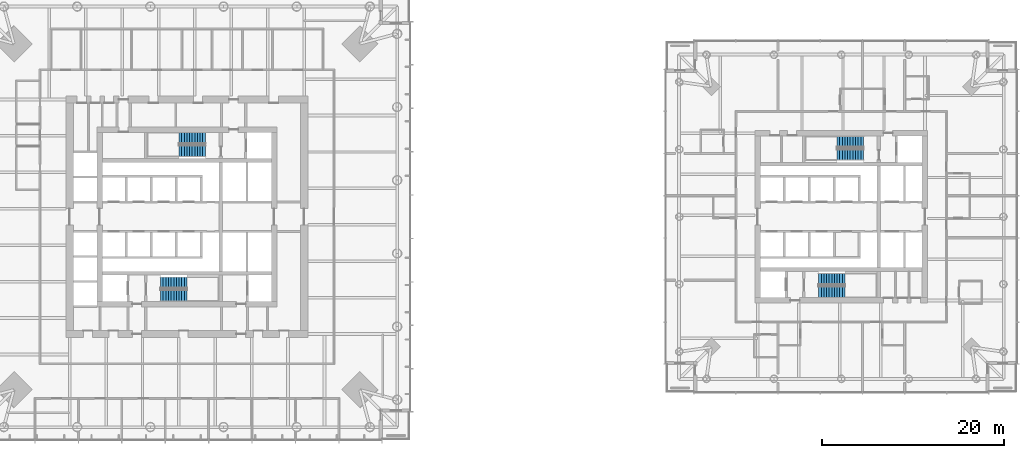
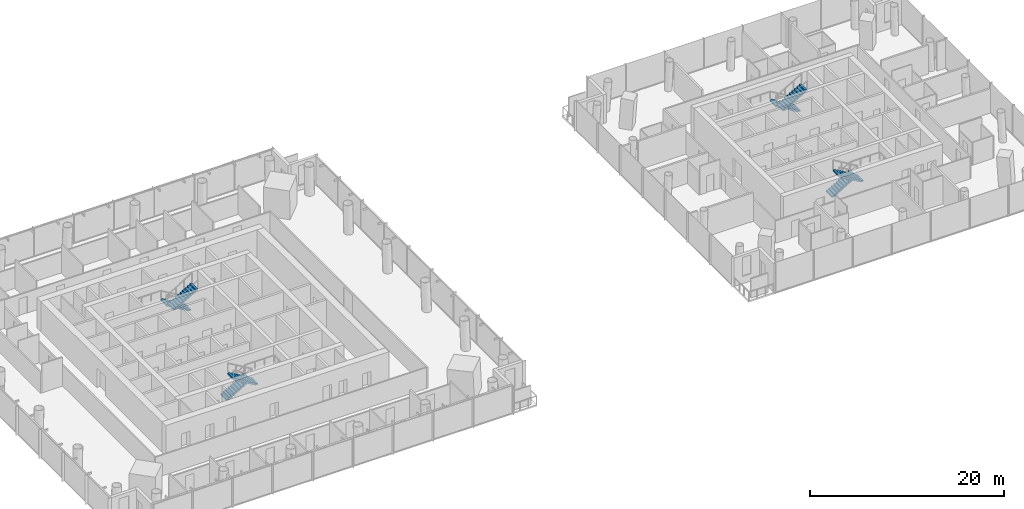
# One storey, part 18 of 21: 8 stair flights, 4 elements without a shape of their own.
"""IFC4 building model written with IfcOpenShell, lengths in metres."""

from ifc_helpers import new_model, si_unit, direction, frame, origin, place, context, subcontext, project, spatial, polyline, outline, extrude, material, type_object, element, aggregate, save


model = new_model("IFC4")

# Units and contexts
model_context = context("Model", 3, precision=1e-05, world=origin(), true_north=direction((0.0, 1.0)))
body_context = subcontext(model_context, "Body", "Model", "MODEL_VIEW")
ifc_project = project(units=[si_unit("LENGTHUNIT", "METRE"), si_unit("AREAUNIT", "SQUARE_METRE"), si_unit("VOLUMEUNIT", "CUBIC_METRE"), si_unit("PLANEANGLEUNIT", "RADIAN"), si_unit("MASSUNIT", "GRAM", prefix="KILO")], contexts=[model_context])

# Site, building, storey
site_placement = place(None, origin())
site = spatial("IfcSite", under=ifc_project, at=site_placement, CompositionType="ELEMENT")
building_placement = place(site_placement, origin())
building = spatial("IfcBuilding", under=site, at=building_placement, Name="Ostroluk Exchange", CompositionType="ELEMENT")
storey_placement = place(building_placement, frame((0.0, 0.0, 47.60009765625)))
storey = spatial("IfcBuildingStorey", under=building, at=storey_placement, Name="L11", CompositionType="ELEMENT", Elevation=47.60009765625)

# Stair, stair flights
ifc_material_1 = material(Name="Concrete C30/37", Category="concrete")
stair_type = type_object("IfcStairType", Name="Exit stair half turn 3800", PredefinedType="HALF_TURN_STAIR", material=ifc_material_1)
stair_1_placement = place(storey_placement, origin())
stair_1 = element("IfcStair", 1, at=stair_1_placement, inside=storey, type_object=stair_type, Name="Stair T1-S1 L11", PredefinedType="HALF_TURN_STAIR")
ifc_material_2 = material(Name="Concrete C30/37", Category="concrete")
stair_flight_type = type_object("IfcStairFlightType", Name="Stair flight 11 risers 172.7 x 290", PredefinedType="STRAIGHT", material=ifc_material_2)
stair_flight_1_placement = place(storey_placement, frame((42.10009765625, 38.77490234375, 0.0), z_axis=(0.0, 0.0, 1.0), x_axis=(1.0, 0.0, 0.0)))
stair_flight_1 = element("IfcStairFlight", 2, at=stair_flight_1_placement, type_object=stair_flight_type, Name="T1-S1 flight 1", NumberOfRisers=11, NumberOfTreads=10, PredefinedType="STRAIGHT", RiserHeight=0.172727273, TreadLength=0.29, context=body_context, shape_type="SweptSolid", body=[
    extrude(outline(polyline([(0.0, 0.0), (0.0, 0.172607421875), (0.2900390625, 0.172607421875), (0.2900390625, 0.345458984375), (0.580078125, 0.345458984375), (0.580078125, 0.51806640625), (0.8701171875, 0.51806640625), (0.8701171875, 0.69091796875), (1.159912109375, 0.69091796875), (1.159912109375, 0.863525390625), (1.449951171875, 0.863525390625), (1.449951171875, 1.036376953125), (1.739990234375, 1.036376953125), (1.739990234375, 1.208984375), (2.030029296875, 1.208984375), (2.030029296875, 1.3818359375), (2.320068359375, 1.3818359375), (2.320068359375, 1.554443359375), (2.610107421875, 1.554443359375), (2.610107421875, 1.727294921875), (2.89990234375, 1.727294921875), (2.89990234375, 1.89990234375), (2.89990234375, 1.552734375), (0.29296875, 0.0), (0.0, 0.0)])), frame((0.0, 0.625, 0.0), z_axis=(0.0, -1.0, 0.0), x_axis=(1.0, 0.0, 0.0)), (0.0, 0.0, 1.0), 1.25),
])
stair_flight_2_placement = place(storey_placement, frame((45.0, 37.324951171875, 1.89990234375), z_axis=(0.0, 0.0, 1.0), x_axis=(-1.0, 0.0, 0.0)))
stair_flight_2 = element("IfcStairFlight", 3, at=stair_flight_2_placement, type_object=stair_flight_type, Name="T1-S1 flight 2", NumberOfRisers=11, NumberOfTreads=10, PredefinedType="STRAIGHT", RiserHeight=0.172727273, TreadLength=0.29, context=body_context, shape_type="SweptSolid", body=[
    extrude(outline(polyline([(0.0, 0.0), (0.0, 0.172607421875), (0.2900390625, 0.172607421875), (0.2900390625, 0.345458984375), (0.580078125, 0.345458984375), (0.580078125, 0.51806640625), (0.8701171875, 0.51806640625), (0.8701171875, 0.69091796875), (1.159912109375, 0.69091796875), (1.159912109375, 0.863525390625), (1.449951171875, 0.863525390625), (1.449951171875, 1.036376953125), (1.739990234375, 1.036376953125), (1.739990234375, 1.208984375), (2.030029296875, 1.208984375), (2.030029296875, 1.3818359375), (2.320068359375, 1.3818359375), (2.320068359375, 1.554443359375), (2.610107421875, 1.554443359375), (2.610107421875, 1.727294921875), (2.89990234375, 1.727294921875), (2.89990234375, 1.89990234375), (2.89990234375, 1.552734375), (0.29296875, 0.0), (0.0, 0.0)])), frame((0.0, 0.625, 0.0), z_axis=(0.0, -1.0, 0.0), x_axis=(1.0, 0.0, 0.0)), (0.0, 0.0, 1.0), 1.25),
])
aggregate(stair_1, [stair_flight_1, stair_flight_2])

stair_2_placement = place(storey_placement, origin())
stair_2 = element("IfcStair", 4, at=stair_2_placement, inside=storey, type_object=stair_type, Name="Stair T1-S2 L11", PredefinedType="HALF_TURN_STAIR")
stair_flight_3_placement = place(storey_placement, frame((47.030029296875, 54.675048828125, 0.0), z_axis=(0.0, 0.0, 1.0), x_axis=(-1.0, 0.0, 0.0)))
stair_flight_3 = element("IfcStairFlight", 5, at=stair_flight_3_placement, type_object=stair_flight_type, Name="T1-S2 flight 1", NumberOfRisers=11, NumberOfTreads=10, PredefinedType="STRAIGHT", RiserHeight=0.172727273, TreadLength=0.29, context=body_context, shape_type="SweptSolid", body=[
    extrude(outline(polyline([(0.0, 0.0), (0.0, 0.172607421875), (0.2900390625, 0.172607421875), (0.2900390625, 0.345458984375), (0.580078125, 0.345458984375), (0.580078125, 0.51806640625), (0.8701171875, 0.51806640625), (0.8701171875, 0.69091796875), (1.159912109375, 0.69091796875), (1.159912109375, 0.863525390625), (1.449951171875, 0.863525390625), (1.449951171875, 1.036376953125), (1.739990234375, 1.036376953125), (1.739990234375, 1.208984375), (2.030029296875, 1.208984375), (2.030029296875, 1.3818359375), (2.320068359375, 1.3818359375), (2.320068359375, 1.554443359375), (2.610107421875, 1.554443359375), (2.610107421875, 1.727294921875), (2.89990234375, 1.727294921875), (2.89990234375, 1.89990234375), (2.89990234375, 1.552734375), (0.29296875, 0.0), (0.0, 0.0)])), frame((0.0, 0.625, 0.0), z_axis=(0.0, -1.0, 0.0), x_axis=(1.0, 0.0, 0.0)), (0.0, 0.0, 1.0), 1.25),
])
stair_flight_4_placement = place(storey_placement, frame((44.1298828125, 53.22509765625, 1.89990234375), z_axis=(0.0, 0.0, 1.0), x_axis=(1.0, 0.0, 0.0)))
stair_flight_4 = element("IfcStairFlight", 6, at=stair_flight_4_placement, type_object=stair_flight_type, Name="T1-S2 flight 2", NumberOfRisers=11, NumberOfTreads=10, PredefinedType="STRAIGHT", RiserHeight=0.172727273, TreadLength=0.29, context=body_context, shape_type="SweptSolid", body=[
    extrude(outline(polyline([(0.0, 0.0), (0.0, 0.172607421875), (0.2900390625, 0.172607421875), (0.2900390625, 0.345458984375), (0.580078125, 0.345458984375), (0.580078125, 0.51806640625), (0.8701171875, 0.51806640625), (0.8701171875, 0.69091796875), (1.159912109375, 0.69091796875), (1.159912109375, 0.863525390625), (1.449951171875, 0.863525390625), (1.449951171875, 1.036376953125), (1.739990234375, 1.036376953125), (1.739990234375, 1.208984375), (2.030029296875, 1.208984375), (2.030029296875, 1.3818359375), (2.320068359375, 1.3818359375), (2.320068359375, 1.554443359375), (2.610107421875, 1.554443359375), (2.610107421875, 1.727294921875), (2.89990234375, 1.727294921875), (2.89990234375, 1.89990234375), (2.89990234375, 1.552734375), (0.29296875, 0.0), (0.0, 0.0)])), frame((0.0, 0.625, 0.0), z_axis=(0.0, -1.0, 0.0), x_axis=(1.0, 0.0, 0.0)), (0.0, 0.0, 1.0), 1.25),
])
aggregate(stair_2, [stair_flight_3, stair_flight_4])

stair_3_placement = place(storey_placement, origin())
stair_3 = element("IfcStair", 7, at=stair_3_placement, inside=storey, type_object=stair_type, Name="Stair T2-S1 L11", PredefinedType="HALF_TURN_STAIR")
stair_flight_5_placement = place(storey_placement, frame((114.5, 39.175048828125, 0.0), z_axis=(0.0, 0.0, 1.0), x_axis=(1.0, 0.0, 0.0)))
stair_flight_5 = element("IfcStairFlight", 8, at=stair_flight_5_placement, type_object=stair_flight_type, Name="T2-S1 flight 1", NumberOfRisers=11, NumberOfTreads=10, PredefinedType="STRAIGHT", RiserHeight=0.172727273, TreadLength=0.29, context=body_context, shape_type="SweptSolid", body=[
    extrude(outline(polyline([(0.0, 0.0), (0.0, 0.172607421875), (0.2900390625, 0.172607421875), (0.2900390625, 0.345458984375), (0.580078125, 0.345458984375), (0.580078125, 0.51806640625), (0.8701171875, 0.51806640625), (0.8701171875, 0.69091796875), (1.159912109375, 0.69091796875), (1.159912109375, 0.863525390625), (1.449951171875, 0.863525390625), (1.449951171875, 1.036376953125), (1.739990234375, 1.036376953125), (1.739990234375, 1.208984375), (2.030029296875, 1.208984375), (2.030029296875, 1.3818359375), (2.320068359375, 1.3818359375), (2.320068359375, 1.554443359375), (2.610107421875, 1.554443359375), (2.610107421875, 1.727294921875), (2.89990234375, 1.727294921875), (2.89990234375, 1.89990234375), (2.89990234375, 1.552734375), (0.29296875, 0.0), (0.0, 0.0)])), frame((0.0, 0.625, 0.0), z_axis=(0.0, -1.0, 0.0), x_axis=(1.0, 0.0, 0.0)), (0.0, 0.0, 1.0), 1.25),
])
stair_flight_6_placement = place(storey_placement, frame((117.39990234375, 37.72509765625, 1.89990234375), z_axis=(0.0, 0.0, 1.0), x_axis=(-1.0, 0.0, 0.0)))
stair_flight_6 = element("IfcStairFlight", 9, at=stair_flight_6_placement, type_object=stair_flight_type, Name="T2-S1 flight 2", NumberOfRisers=11, NumberOfTreads=10, PredefinedType="STRAIGHT", RiserHeight=0.172727273, TreadLength=0.29, context=body_context, shape_type="SweptSolid", body=[
    extrude(outline(polyline([(0.0, 0.0), (0.0, 0.172607421875), (0.2900390625, 0.172607421875), (0.2900390625, 0.345458984375), (0.580078125, 0.345458984375), (0.580078125, 0.51806640625), (0.8701171875, 0.51806640625), (0.8701171875, 0.69091796875), (1.159912109375, 0.69091796875), (1.159912109375, 0.863525390625), (1.449951171875, 0.863525390625), (1.449951171875, 1.036376953125), (1.739990234375, 1.036376953125), (1.739990234375, 1.208984375), (2.030029296875, 1.208984375), (2.030029296875, 1.3818359375), (2.320068359375, 1.3818359375), (2.320068359375, 1.554443359375), (2.610107421875, 1.554443359375), (2.610107421875, 1.727294921875), (2.89990234375, 1.727294921875), (2.89990234375, 1.89990234375), (2.89990234375, 1.552734375), (0.29296875, 0.0), (0.0, 0.0)])), frame((0.0, 0.625, 0.0), z_axis=(0.0, -1.0, 0.0), x_axis=(1.0, 0.0, 0.0)), (0.0, 0.0, 1.0), 1.25),
])
aggregate(stair_3, [stair_flight_5, stair_flight_6])

stair_4_placement = place(storey_placement, origin())
stair_4 = element("IfcStair", 10, at=stair_4_placement, inside=storey, type_object=stair_type, Name="Stair T2-S2 L11", PredefinedType="HALF_TURN_STAIR")
stair_flight_7_placement = place(storey_placement, frame((119.429931640625, 54.27490234375, 0.0), z_axis=(0.0, 0.0, 1.0), x_axis=(-1.0, 0.0, 0.0)))
stair_flight_7 = element("IfcStairFlight", 11, at=stair_flight_7_placement, type_object=stair_flight_type, Name="T2-S2 flight 1", NumberOfRisers=11, NumberOfTreads=10, PredefinedType="STRAIGHT", RiserHeight=0.172727273, TreadLength=0.29, context=body_context, shape_type="SweptSolid", body=[
    extrude(outline(polyline([(0.0, 0.0), (0.0, 0.172607421875), (0.2900390625, 0.172607421875), (0.2900390625, 0.345458984375), (0.580078125, 0.345458984375), (0.580078125, 0.51806640625), (0.8701171875, 0.51806640625), (0.8701171875, 0.69091796875), (1.159912109375, 0.69091796875), (1.159912109375, 0.863525390625), (1.449951171875, 0.863525390625), (1.449951171875, 1.036376953125), (1.739990234375, 1.036376953125), (1.739990234375, 1.208984375), (2.030029296875, 1.208984375), (2.030029296875, 1.3818359375), (2.320068359375, 1.3818359375), (2.320068359375, 1.554443359375), (2.610107421875, 1.554443359375), (2.610107421875, 1.727294921875), (2.89990234375, 1.727294921875), (2.89990234375, 1.89990234375), (2.89990234375, 1.552734375), (0.29296875, 0.0), (0.0, 0.0)])), frame((0.0, 0.625, 0.0), z_axis=(0.0, -1.0, 0.0), x_axis=(1.0, 0.0, 0.0)), (0.0, 0.0, 1.0), 1.25),
])
stair_flight_8_placement = place(storey_placement, frame((116.530029296875, 52.824951171875, 1.89990234375), z_axis=(0.0, 0.0, 1.0), x_axis=(1.0, 0.0, 0.0)))
stair_flight_8 = element("IfcStairFlight", 12, at=stair_flight_8_placement, type_object=stair_flight_type, Name="T2-S2 flight 2", NumberOfRisers=11, NumberOfTreads=10, PredefinedType="STRAIGHT", RiserHeight=0.172727273, TreadLength=0.29, context=body_context, shape_type="SweptSolid", body=[
    extrude(outline(polyline([(0.0, 0.0), (0.0, 0.172607421875), (0.2900390625, 0.172607421875), (0.2900390625, 0.345458984375), (0.580078125, 0.345458984375), (0.580078125, 0.51806640625), (0.8701171875, 0.51806640625), (0.8701171875, 0.69091796875), (1.159912109375, 0.69091796875), (1.159912109375, 0.863525390625), (1.449951171875, 0.863525390625), (1.449951171875, 1.036376953125), (1.739990234375, 1.036376953125), (1.739990234375, 1.208984375), (2.030029296875, 1.208984375), (2.030029296875, 1.3818359375), (2.320068359375, 1.3818359375), (2.320068359375, 1.554443359375), (2.610107421875, 1.554443359375), (2.610107421875, 1.727294921875), (2.89990234375, 1.727294921875), (2.89990234375, 1.89990234375), (2.89990234375, 1.552734375), (0.29296875, 0.0), (0.0, 0.0)])), frame((0.0, 0.625, 0.0), z_axis=(0.0, -1.0, 0.0), x_axis=(1.0, 0.0, 0.0)), (0.0, 0.0, 1.0), 1.25),
])
aggregate(stair_4, [stair_flight_7, stair_flight_8])

save(model, "model.ifc")
